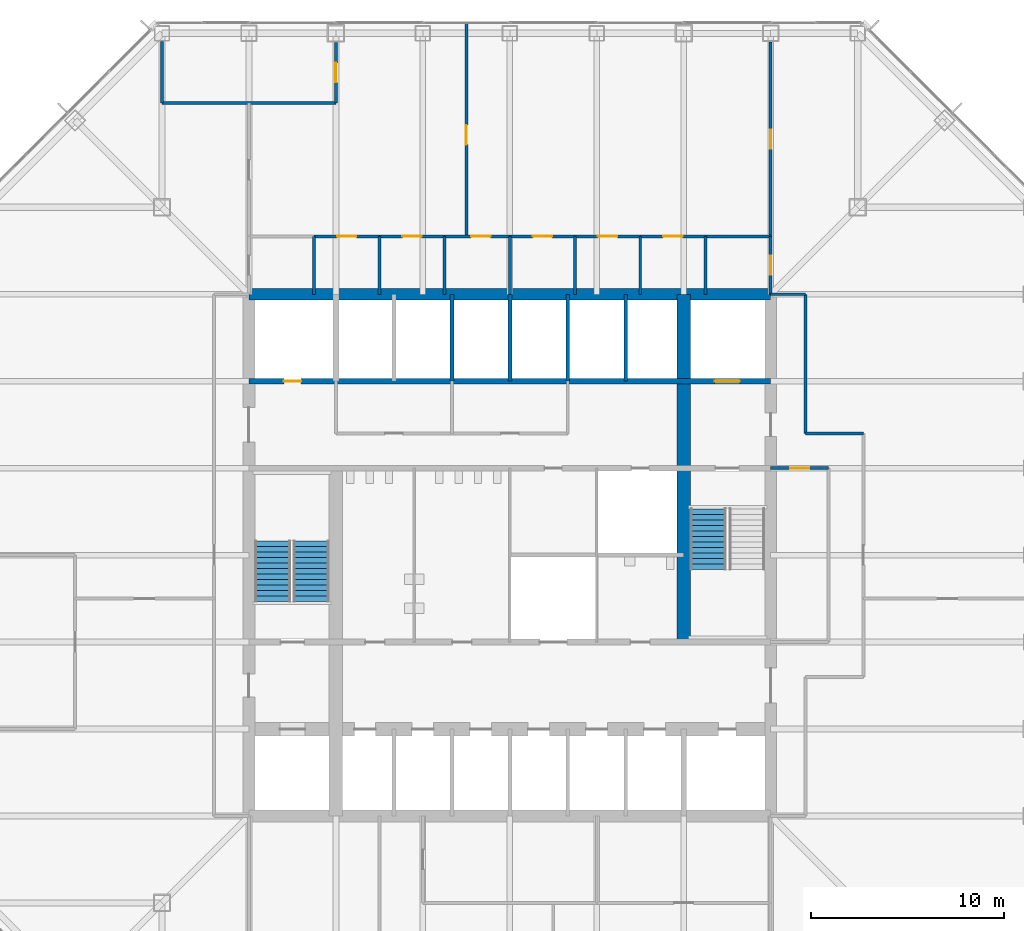
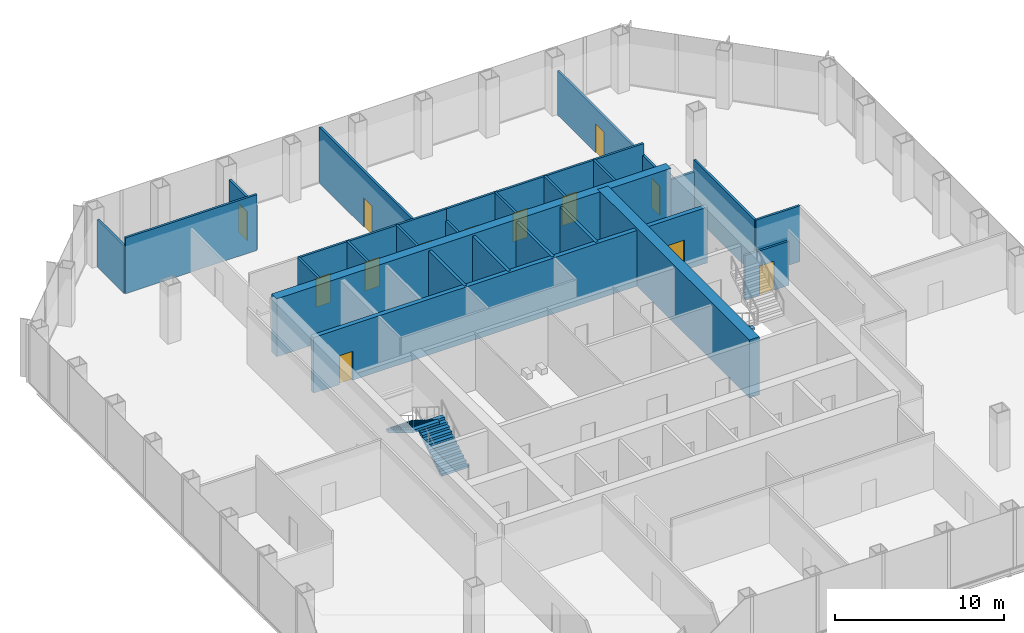
# One storey, part 10 of 13: 31 walls, 13 doors, 3 stair flights, 13 openings, 2 elements without a shape of their own.
"""IFC4 building model written with IfcOpenShell, lengths in metres."""

from ifc_helpers import new_model, si_unit, direction, frame, frame_2d, origin, place, context, subcontext, project, spatial, polyline, rectangle, outline, extrude, material, layer, layer_set, type_object, element, fill, aggregate, save


model = new_model("IFC4")

# Units and contexts
model_context = context("Model", 3, precision=1e-05, world=origin(), true_north=direction((0.0, 1.0)))
body_context = subcontext(model_context, "Body", "Model", "MODEL_VIEW")
ifc_project = project(units=[si_unit("LENGTHUNIT", "METRE"), si_unit("AREAUNIT", "SQUARE_METRE"), si_unit("VOLUMEUNIT", "CUBIC_METRE"), si_unit("PLANEANGLEUNIT", "RADIAN"), si_unit("MASSUNIT", "GRAM", prefix="KILO")], contexts=[model_context])

# Site, building, storey
site_placement = place(None, origin())
site = spatial("IfcSite", under=ifc_project, at=site_placement, CompositionType="ELEMENT")
building_placement = place(site_placement, origin())
building = spatial("IfcBuilding", under=site, at=building_placement, Name="Corais Broadcast Tower", CompositionType="ELEMENT")
storey_placement = place(building_placement, frame((0.0, 0.0, 62.60009765625)))
storey = spatial("IfcBuildingStorey", under=building, at=storey_placement, Name="L13", CompositionType="ELEMENT", Elevation=62.60009765625)

# Walls
ifc_material_1 = material(Name="Concrete C50/60", Category="concrete")
ifc_layer_1 = layer(ifc_material_1, 0.699951171875)
ifc_layer_set_1 = layer_set([ifc_layer_1], Name="Concrete C50/60")
wall_type_1 = type_object("IfcWallType", Name="Core spine wall 700", PredefinedType="SHEAR", material=ifc_layer_set_1)
wall_1_placement = place(storey_placement, frame((36.0, 22.5, 0.0), z_axis=(0.0, 0.0, 1.0), x_axis=(0.0, 1.0, 0.0)))
element("IfcWall", 1, at=wall_1_placement, inside=storey, type_object=wall_type_1, Name="CR700 core wall X36B L13", PredefinedType="SHEAR", context=body_context, shape_type="SweptSolid", body=[
    extrude(rectangle(XDim=18.0, YDim=0.699951171875, at=frame_2d((9.0, 0.0))), origin(), (0.0, 0.0, 1.0), 4.199951171875),
])
ifc_material_2 = material(Name="Concrete C50/60", Category="concrete")
ifc_layer_2 = layer(ifc_material_2, 0.60009765625)
ifc_layer_set_2 = layer_set([ifc_layer_2], Name="Concrete C50/60")
wall_type_2 = type_object("IfcWallType", Name="Core wall 600", PredefinedType="SHEAR", material=ifc_layer_set_2)
wall_2_placement = place(storey_placement, frame((40.5, 40.5, 0.0), z_axis=(0.0, 0.0, 1.0), x_axis=(-1.0, 0.0, 0.0)))
element("IfcWall", 2, at=wall_2_placement, inside=storey, type_object=wall_type_2, Name="CR600 core wall N L13", PredefinedType="SHEAR", context=body_context, shape_type="SweptSolid", body=[
    extrude(rectangle(XDim=27.0, YDim=0.60009765625, at=frame_2d((13.5, 0.0))), origin(), (0.0, 0.0, 1.0), 4.199951171875),
])

# Wall, openings, doors
ifc_material_3 = material(Name="Concrete blockwork class A, grouted, four-hour", Category="masonry")
ifc_layer_3 = layer(ifc_material_3, 0.300048828125)
ifc_layer_set_3 = layer_set([ifc_layer_3], Name="Concrete blockwork class A, grouted, four-hour")
wall_type_3 = type_object("IfcWallType", Name="Emergency lift shaft wall 300", PredefinedType="SOLIDWALL", material=ifc_layer_set_3)
wall_3_placement = place(storey_placement, frame((13.5, 36.0, 0.0), z_axis=(0.0, 0.0, 1.0), x_axis=(1.0, 0.0, 0.0)))
wall_3 = element("IfcWall", 3, at=wall_3_placement, inside=storey, type_object=wall_type_3, Name="LS1 core lobby wall Y36 L13", PredefinedType="SOLIDWALL", context=body_context, shape_type="SweptSolid", body=[
    extrude(rectangle(XDim=27.0, YDim=0.300048828125, at=frame_2d((13.5, 0.0))), origin(), (0.0, 0.0, 1.0), 4.039794921875),
])
opening_1_placement = place(wall_3_placement, frame((1.800048828125, 0.0, 0.0)))
opening_1 = element("IfcOpeningElement", 4, at=opening_1_placement, cuts=wall_3, Name="Opening RD1", PredefinedType="OPENING", context=body_context, shape_type="SweptSolid", body=[
    extrude(rectangle(XDim=0.89990234375, YDim=2.10009765625, at=frame_2d((0.449951171875, 1.050048828125))), frame((0.0, 0.159912109375, 0.0), z_axis=(0.0, -1.0, 0.0), x_axis=(1.0, 0.0, 0.0)), (0.0, 0.0, 1.0), 0.320068359375),
])
opening_2_placement = place(wall_3_placement, frame((24.10009765625, 0.0, 0.0)))
opening_2 = element("IfcOpeningElement", 5, at=opening_2_placement, cuts=wall_3, Name="Opening LD2", PredefinedType="OPENING", context=body_context, shape_type="SweptSolid", body=[
    extrude(rectangle(XDim=1.300048828125, YDim=2.199951171875, at=frame_2d((0.64990234375, 1.10009765625))), frame((0.0, 0.159912109375, 0.0), z_axis=(0.0, -1.0, 0.0), x_axis=(1.0, 0.0, 0.0)), (0.0, 0.0, 1.0), 0.320068359375),
])
ifc_material_4 = material(Name="Stainless steel lift door", Category="steel")
door_type_1 = type_object("IfcDoorType", Name="Lift landing door 1300x2200", OperationType="SLIDING_TO_LEFT", PredefinedType="DOOR", material=ifc_material_4)
door_1_placement = place(opening_2_placement, origin())
door_1 = element("IfcDoor", 6, at=door_1_placement, inside=storey, type_object=door_type_1, Name="LD2 FL2 landing door L13", OperationType="SLIDING_TO_LEFT", OverallHeight=2.199951171875, OverallWidth=1.300048828125, PredefinedType="DOOR", context=body_context, shape_type="SweptSolid", body=[
    extrude(rectangle(XDim=1.300048828125, YDim=2.199951171875, at=frame_2d((0.64990234375, 1.10009765625))), frame((0.0, 0.02490234375, 0.0), z_axis=(0.0, -1.0, 0.0), x_axis=(1.0, 0.0, 0.0)), (0.0, 0.0, 1.0), 0.050048828125),
])
fill(opening_2, door_1)
ifc_material_5 = material(Name="Steel fire door", Category="steel")
door_type_2 = type_object("IfcDoorType", Name="Riser door 900x2100", OperationType="SINGLE_SWING_LEFT", PredefinedType="DOOR", material=ifc_material_5)
door_2_placement = place(opening_1_placement, origin())
door_2 = element("IfcDoor", 7, at=door_2_placement, inside=storey, type_object=door_type_2, Name="RD1 riser door L13", OperationType="SINGLE_SWING_LEFT", OverallHeight=2.10009765625, OverallWidth=0.89990234375, PredefinedType="DOOR", context=body_context, shape_type="SweptSolid", body=[
    extrude(rectangle(XDim=0.89990234375, YDim=2.10009765625, at=frame_2d((0.449951171875, 1.050048828125))), frame((0.0, 0.02490234375, 0.0), z_axis=(0.0, -1.0, 0.0), x_axis=(1.0, 0.0, 0.0)), (0.0, 0.0, 1.0), 0.050048828125),
])
fill(opening_1, door_2)

# Walls
ifc_material_6 = material(Name="Gypsum board on steel studs", Category="steel")
ifc_layer_4 = layer(ifc_material_6, 0.14990234375)
ifc_layer_set_4 = layer_set([ifc_layer_4], Name="Gypsum board on steel studs")
wall_type_4 = type_object("IfcWallType", Name="Partition 150", PredefinedType="PARTITIONING", material=ifc_layer_set_4)
wall_4_placement = place(storey_placement, frame((42.300048828125, 33.300048828125, 0.0), z_axis=(0.0, 0.0, 1.0), x_axis=(0.0, 1.0, 0.0)))
element("IfcWall", 8, at=wall_4_placement, inside=storey, type_object=wall_type_4, Name="IW3 corridor wall L13", PredefinedType="PARTITIONING", context=body_context, shape_type="SweptSolid", body=[
    extrude(rectangle(XDim=7.199951171875, YDim=0.14990234375, at=frame_2d((3.60009765625, 0.0))), origin(), (0.0, 0.0, 1.0), 4.039794921875),
])
wall_5_placement = place(storey_placement, frame((45.300048828125, 33.300048828125, 0.0), z_axis=(0.0, 0.0, 1.0), x_axis=(-1.0, 0.0, 0.0)))
element("IfcWall", 9, at=wall_5_placement, inside=storey, type_object=wall_type_4, Name="IW3 corridor wall L13", PredefinedType="PARTITIONING", context=body_context, shape_type="SweptSolid", body=[
    extrude(rectangle(XDim=3.0, YDim=0.14990234375, at=frame_2d((1.5, 0.0))), origin(), (0.0, 0.0, 1.0), 4.039794921875),
])
wall_6_placement = place(storey_placement, frame((42.300048828125, 40.5, 0.0), z_axis=(0.0, 0.0, 1.0), x_axis=(-1.0, 0.0, 0.0)))
element("IfcWall", 10, at=wall_6_placement, inside=storey, type_object=wall_type_4, Name="IW3 corridor wall L13", PredefinedType="PARTITIONING", context=body_context, shape_type="SweptSolid", body=[
    extrude(rectangle(XDim=1.800048828125, YDim=0.14990234375, at=frame_2d((0.89990234375, 0.0))), origin(), (0.0, 0.0, 1.0), 3.18896484375),
])
for number, where, z_axis, x_axis, name in (
    (11, (16.875, 40.5, 0.0), (0.0, 0.0, 1.0), (0.0, 1.0, 0.0), "IW3 partition L13"),
    (12, (20.25, 40.5, 0.0), (0.0, 0.0, 1.0), (0.0, 1.0, 0.0), "IW3 partition L13"),
):
    element("IfcWall", number, at=place(storey_placement, frame(where, z_axis=z_axis, x_axis=x_axis)), inside=storey, type_object=wall_type_4, Name=name, PredefinedType="PARTITIONING", context=body_context, shape_type="SweptSolid", body=[
        extrude(rectangle(XDim=3.0, YDim=0.14990234375, at=frame_2d((1.5, 0.0))), origin(), (0.0, 0.0, 1.0), 4.039794921875),
    ])

# Wall, opening, door
wall_7_placement = place(storey_placement, frame((20.25, 43.5, 0.0), z_axis=(0.0, 0.0, 1.0), x_axis=(-1.0, 0.0, 0.0)))
wall_7 = element("IfcWall", 13, at=wall_7_placement, inside=storey, type_object=wall_type_4, Name="IW3 partition L13", PredefinedType="PARTITIONING", context=body_context, shape_type="SweptSolid", body=[
    extrude(rectangle(XDim=3.375, YDim=0.14990234375, at=frame_2d((1.6875, 0.0))), origin(), (0.0, 0.0, 1.0), 4.039794921875),
])
opening_3_placement = place(wall_7_placement, frame((1.1875, 0.0, 0.0)))
opening_3 = element("IfcOpeningElement", 14, at=opening_3_placement, cuts=wall_7, Name="Opening D1", PredefinedType="OPENING", context=body_context, shape_type="SweptSolid", body=[
    extrude(rectangle(XDim=1.0, YDim=2.10009765625, at=frame_2d((0.5, 1.050048828125))), frame((0.0, 0.0849609375, 0.0), z_axis=(0.0, -1.0, 0.0), x_axis=(1.0, 0.0, 0.0)), (0.0, 0.0, 1.0), 0.169921875),
])
ifc_material_7 = material(Name="Timber door", Category="wood")
door_type_3 = type_object("IfcDoorType", Name="Single door 1000x2100", OperationType="SINGLE_SWING_LEFT", PredefinedType="DOOR", material=ifc_material_7)
door_3_placement = place(opening_3_placement, origin())
door_3 = element("IfcDoor", 15, at=door_3_placement, inside=storey, type_object=door_type_3, Name="D1 Podcast booth door", OperationType="SINGLE_SWING_LEFT", OverallHeight=2.10009765625, OverallWidth=1.0, PredefinedType="DOOR", context=body_context, shape_type="SweptSolid", body=[
    extrude(rectangle(XDim=1.0, YDim=2.10009765625, at=frame_2d((0.5, 1.050048828125))), frame((0.0, 0.02490234375, 0.0), z_axis=(0.0, -1.0, 0.0), x_axis=(1.0, 0.0, 0.0)), (0.0, 0.0, 1.0), 0.050048828125),
])
fill(opening_3, door_3)

# Wall
wall_8_placement = place(storey_placement, frame((23.625, 40.5, 0.0), z_axis=(0.0, 0.0, 1.0), x_axis=(0.0, 1.0, 0.0)))
element("IfcWall", 16, at=wall_8_placement, inside=storey, type_object=wall_type_4, Name="IW3 partition L13", PredefinedType="PARTITIONING", context=body_context, shape_type="SweptSolid", body=[
    extrude(rectangle(XDim=3.0, YDim=0.14990234375, at=frame_2d((1.5, 0.0))), origin(), (0.0, 0.0, 1.0), 4.039794921875),
])

# Wall, opening, door
wall_9_placement = place(storey_placement, frame((23.625, 43.5, 0.0), z_axis=(0.0, 0.0, 1.0), x_axis=(-1.0, 0.0, 0.0)))
wall_9 = element("IfcWall", 17, at=wall_9_placement, inside=storey, type_object=wall_type_4, Name="IW3 partition L13", PredefinedType="PARTITIONING", context=body_context, shape_type="SweptSolid", body=[
    extrude(rectangle(XDim=3.375, YDim=0.14990234375, at=frame_2d((1.6875, 0.0))), origin(), (0.0, 0.0, 1.0), 4.039794921875),
])
opening_4_placement = place(wall_9_placement, frame((1.1875, 0.0, 0.0)))
opening_4 = element("IfcOpeningElement", 18, at=opening_4_placement, cuts=wall_9, Name="Opening D1", PredefinedType="OPENING", context=body_context, shape_type="SweptSolid", body=[
    extrude(rectangle(XDim=1.0, YDim=2.10009765625, at=frame_2d((0.5, 1.050048828125))), frame((0.0, 0.0849609375, 0.0), z_axis=(0.0, -1.0, 0.0), x_axis=(1.0, 0.0, 0.0)), (0.0, 0.0, 1.0), 0.169921875),
])
door_4_placement = place(opening_4_placement, origin())
door_4 = element("IfcDoor", 19, at=door_4_placement, inside=storey, type_object=door_type_3, Name="D1 Podcast booth door", OperationType="SINGLE_SWING_LEFT", OverallHeight=2.10009765625, OverallWidth=1.0, PredefinedType="DOOR", context=body_context, shape_type="SweptSolid", body=[
    extrude(rectangle(XDim=1.0, YDim=2.10009765625, at=frame_2d((0.5, 1.050048828125))), frame((0.0, 0.02490234375, 0.0), z_axis=(0.0, -1.0, 0.0), x_axis=(1.0, 0.0, 0.0)), (0.0, 0.0, 1.0), 0.050048828125),
])
fill(opening_4, door_4)

# Wall
wall_10_placement = place(storey_placement, frame((27.0, 40.5, 0.0), z_axis=(0.0, 0.0, 1.0), x_axis=(0.0, 1.0, 0.0)))
element("IfcWall", 20, at=wall_10_placement, inside=storey, type_object=wall_type_4, Name="IW3 partition L13", PredefinedType="PARTITIONING", context=body_context, shape_type="SweptSolid", body=[
    extrude(rectangle(XDim=3.0, YDim=0.14990234375, at=frame_2d((1.5, 0.0))), origin(), (0.0, 0.0, 1.0), 3.18896484375),
])

# Wall, opening, door
wall_11_placement = place(storey_placement, frame((27.0, 43.5, 0.0), z_axis=(0.0, 0.0, 1.0), x_axis=(-1.0, 0.0, 0.0)))
wall_11 = element("IfcWall", 21, at=wall_11_placement, inside=storey, type_object=wall_type_4, Name="IW3 partition L13", PredefinedType="PARTITIONING", context=body_context, shape_type="SweptSolid", body=[
    extrude(rectangle(XDim=3.375, YDim=0.14990234375, at=frame_2d((1.6875, 0.0))), origin(), (0.0, 0.0, 1.0), 4.039794921875),
])
opening_5_placement = place(wall_11_placement, frame((1.0, 0.0, 0.0)))
opening_5 = element("IfcOpeningElement", 22, at=opening_5_placement, cuts=wall_11, Name="Opening D1", PredefinedType="OPENING", context=body_context, shape_type="SweptSolid", body=[
    extrude(rectangle(XDim=1.0, YDim=2.10009765625, at=frame_2d((0.5, 1.050048828125))), frame((0.0, 0.0849609375, 0.0), z_axis=(0.0, -1.0, 0.0), x_axis=(1.0, 0.0, 0.0)), (0.0, 0.0, 1.0), 0.169921875),
])
door_5_placement = place(opening_5_placement, origin())
door_5 = element("IfcDoor", 23, at=door_5_placement, inside=storey, type_object=door_type_3, Name="D1 Podcast booth door", OperationType="SINGLE_SWING_LEFT", OverallHeight=2.10009765625, OverallWidth=1.0, PredefinedType="DOOR", context=body_context, shape_type="SweptSolid", body=[
    extrude(rectangle(XDim=1.0, YDim=2.10009765625, at=frame_2d((0.5, 1.050048828125))), frame((0.0, 0.02490234375, 0.0), z_axis=(0.0, -1.0, 0.0), x_axis=(1.0, 0.0, 0.0)), (0.0, 0.0, 1.0), 0.050048828125),
])
fill(opening_5, door_5)

# Wall
wall_12_placement = place(storey_placement, frame((30.375, 40.5, 0.0), z_axis=(0.0, 0.0, 1.0), x_axis=(0.0, 1.0, 0.0)))
element("IfcWall", 24, at=wall_12_placement, inside=storey, type_object=wall_type_4, Name="IW3 partition L13", PredefinedType="PARTITIONING", context=body_context, shape_type="SweptSolid", body=[
    extrude(rectangle(XDim=3.0, YDim=0.14990234375, at=frame_2d((1.5, 0.0))), origin(), (0.0, 0.0, 1.0), 4.039794921875),
])

# Wall, opening, door
wall_13_placement = place(storey_placement, frame((30.375, 43.5, 0.0), z_axis=(0.0, 0.0, 1.0), x_axis=(-1.0, 0.0, 0.0)))
wall_13 = element("IfcWall", 25, at=wall_13_placement, inside=storey, type_object=wall_type_4, Name="IW3 partition L13", PredefinedType="PARTITIONING", context=body_context, shape_type="SweptSolid", body=[
    extrude(rectangle(XDim=3.375, YDim=0.14990234375, at=frame_2d((1.6875, 0.0))), origin(), (0.0, 0.0, 1.0), 4.039794921875),
])
opening_6_placement = place(wall_13_placement, frame((1.1875, 0.0, 0.0)))
opening_6 = element("IfcOpeningElement", 26, at=opening_6_placement, cuts=wall_13, Name="Opening D1", PredefinedType="OPENING", context=body_context, shape_type="SweptSolid", body=[
    extrude(rectangle(XDim=1.0, YDim=2.10009765625, at=frame_2d((0.5, 1.050048828125))), frame((0.0, 0.0849609375, 0.0), z_axis=(0.0, -1.0, 0.0), x_axis=(1.0, 0.0, 0.0)), (0.0, 0.0, 1.0), 0.169921875),
])
door_6_placement = place(opening_6_placement, origin())
door_6 = element("IfcDoor", 27, at=door_6_placement, inside=storey, type_object=door_type_3, Name="D1 Podcast booth door", OperationType="SINGLE_SWING_LEFT", OverallHeight=2.10009765625, OverallWidth=1.0, PredefinedType="DOOR", context=body_context, shape_type="SweptSolid", body=[
    extrude(rectangle(XDim=1.0, YDim=2.10009765625, at=frame_2d((0.5, 1.050048828125))), frame((0.0, 0.02490234375, 0.0), z_axis=(0.0, -1.0, 0.0), x_axis=(1.0, 0.0, 0.0)), (0.0, 0.0, 1.0), 0.050048828125),
])
fill(opening_6, door_6)

# Wall
wall_14_placement = place(storey_placement, frame((33.75, 40.5, 0.0), z_axis=(0.0, 0.0, 1.0), x_axis=(0.0, 1.0, 0.0)))
element("IfcWall", 28, at=wall_14_placement, inside=storey, type_object=wall_type_4, Name="IW3 partition L13", PredefinedType="PARTITIONING", context=body_context, shape_type="SweptSolid", body=[
    extrude(rectangle(XDim=3.0, YDim=0.14990234375, at=frame_2d((1.5, 0.0))), origin(), (0.0, 0.0, 1.0), 4.039794921875),
])

# Wall, opening, door
wall_15_placement = place(storey_placement, frame((33.75, 43.5, 0.0), z_axis=(0.0, 0.0, 1.0), x_axis=(-1.0, 0.0, 0.0)))
wall_15 = element("IfcWall", 29, at=wall_15_placement, inside=storey, type_object=wall_type_4, Name="IW3 partition L13", PredefinedType="PARTITIONING", context=body_context, shape_type="SweptSolid", body=[
    extrude(rectangle(XDim=3.375, YDim=0.14990234375, at=frame_2d((1.6875, 0.0))), origin(), (0.0, 0.0, 1.0), 4.039794921875),
])
opening_7_placement = place(wall_15_placement, frame((1.1875, 0.0, 0.0)))
opening_7 = element("IfcOpeningElement", 30, at=opening_7_placement, cuts=wall_15, Name="Opening D1", PredefinedType="OPENING", context=body_context, shape_type="SweptSolid", body=[
    extrude(rectangle(XDim=1.0, YDim=2.10009765625, at=frame_2d((0.5, 1.050048828125))), frame((0.0, 0.0849609375, 0.0), z_axis=(0.0, -1.0, 0.0), x_axis=(1.0, 0.0, 0.0)), (0.0, 0.0, 1.0), 0.169921875),
])
door_7_placement = place(opening_7_placement, origin())
door_7 = element("IfcDoor", 31, at=door_7_placement, inside=storey, type_object=door_type_3, Name="D1 Podcast booth door", OperationType="SINGLE_SWING_LEFT", OverallHeight=2.10009765625, OverallWidth=1.0, PredefinedType="DOOR", context=body_context, shape_type="SweptSolid", body=[
    extrude(rectangle(XDim=1.0, YDim=2.10009765625, at=frame_2d((0.5, 1.050048828125))), frame((0.0, 0.02490234375, 0.0), z_axis=(0.0, -1.0, 0.0), x_axis=(1.0, 0.0, 0.0)), (0.0, 0.0, 1.0), 0.050048828125),
])
fill(opening_7, door_7)

# Wall
wall_16_placement = place(storey_placement, frame((37.125, 40.5, 0.0), z_axis=(0.0, 0.0, 1.0), x_axis=(0.0, 1.0, 0.0)))
element("IfcWall", 32, at=wall_16_placement, inside=storey, type_object=wall_type_4, Name="IW3 partition L13", PredefinedType="PARTITIONING", context=body_context, shape_type="SweptSolid", body=[
    extrude(rectangle(XDim=3.0, YDim=0.14990234375, at=frame_2d((1.5, 0.0))), origin(), (0.0, 0.0, 1.0), 4.039794921875),
])

# Wall, opening, door
wall_17_placement = place(storey_placement, frame((37.125, 43.5, 0.0), z_axis=(0.0, 0.0, 1.0), x_axis=(-1.0, 0.0, 0.0)))
wall_17 = element("IfcWall", 33, at=wall_17_placement, inside=storey, type_object=wall_type_4, Name="IW3 partition L13", PredefinedType="PARTITIONING", context=body_context, shape_type="SweptSolid", body=[
    extrude(rectangle(XDim=3.375, YDim=0.14990234375, at=frame_2d((1.6875, 0.0))), origin(), (0.0, 0.0, 1.0), 4.039794921875),
])
opening_8_placement = place(wall_17_placement, frame((1.1875, 0.0, 0.0)))
opening_8 = element("IfcOpeningElement", 34, at=opening_8_placement, cuts=wall_17, Name="Opening D1", PredefinedType="OPENING", context=body_context, shape_type="SweptSolid", body=[
    extrude(rectangle(XDim=1.0, YDim=2.10009765625, at=frame_2d((0.5, 1.050048828125))), frame((0.0, 0.0849609375, 0.0), z_axis=(0.0, -1.0, 0.0), x_axis=(1.0, 0.0, 0.0)), (0.0, 0.0, 1.0), 0.169921875),
])
door_8_placement = place(opening_8_placement, origin())
door_8 = element("IfcDoor", 35, at=door_8_placement, inside=storey, type_object=door_type_3, Name="D1 Podcast booth door", OperationType="SINGLE_SWING_LEFT", OverallHeight=2.10009765625, OverallWidth=1.0, PredefinedType="DOOR", context=body_context, shape_type="SweptSolid", body=[
    extrude(rectangle(XDim=1.0, YDim=2.10009765625, at=frame_2d((0.5, 1.050048828125))), frame((0.0, 0.02490234375, 0.0), z_axis=(0.0, -1.0, 0.0), x_axis=(1.0, 0.0, 0.0)), (0.0, 0.0, 1.0), 0.050048828125),
])
fill(opening_8, door_8)

wall_18_placement = place(storey_placement, frame((40.5, 40.5, 0.0), z_axis=(0.0, 0.0, 1.0), x_axis=(0.0, 1.0, 0.0)))
wall_18 = element("IfcWall", 36, at=wall_18_placement, inside=storey, type_object=wall_type_4, Name="IW3 partition L13", PredefinedType="PARTITIONING", context=body_context, shape_type="SweptSolid", body=[
    extrude(rectangle(XDim=3.0, YDim=0.14990234375, at=frame_2d((1.5, 0.0))), origin(), (0.0, 0.0, 1.0), 3.18896484375),
])
opening_9_placement = place(wall_18_placement, frame((1.0, 0.0, 0.0)))
opening_9 = element("IfcOpeningElement", 37, at=opening_9_placement, cuts=wall_18, Name="Opening D1", PredefinedType="OPENING", context=body_context, shape_type="SweptSolid", body=[
    extrude(rectangle(XDim=1.0, YDim=2.10009765625, at=frame_2d((0.5, 1.050048828125))), frame((0.0, 0.0849609375, 0.0), z_axis=(0.0, -1.0, 0.0), x_axis=(1.0, 0.0, 0.0)), (0.0, 0.0, 1.0), 0.169921875),
])
door_9_placement = place(opening_9_placement, origin())
door_9 = element("IfcDoor", 38, at=door_9_placement, inside=storey, type_object=door_type_3, Name="D1 Podcast booth door", OperationType="SINGLE_SWING_LEFT", OverallHeight=2.10009765625, OverallWidth=1.0, PredefinedType="DOOR", context=body_context, shape_type="SweptSolid", body=[
    extrude(rectangle(XDim=1.0, YDim=2.10009765625, at=frame_2d((0.5, 1.050048828125))), frame((0.0, 0.02490234375, 0.0), z_axis=(0.0, -1.0, 0.0), x_axis=(1.0, 0.0, 0.0)), (0.0, 0.0, 1.0), 0.050048828125),
])
fill(opening_9, door_9)

# Walls
wall_19_placement = place(storey_placement, frame((40.5, 43.5, 0.0), z_axis=(0.0, 0.0, 1.0), x_axis=(-1.0, 0.0, 0.0)))
element("IfcWall", 39, at=wall_19_placement, inside=storey, type_object=wall_type_4, Name="IW3 partition L13", PredefinedType="PARTITIONING", context=body_context, shape_type="SweptSolid", body=[
    extrude(rectangle(XDim=3.375, YDim=0.14990234375, at=frame_2d((1.6875, 0.0))), origin(), (0.0, 0.0, 1.0), 4.039794921875),
])
wall_20_placement = place(storey_placement, frame((9.0, 50.39990234375, 0.0), z_axis=(0.0, 0.0, 1.0), x_axis=(1.0, 0.0, 0.0)))
element("IfcWall", 40, at=wall_20_placement, inside=storey, type_object=wall_type_4, Name="IW3 partition L13", PredefinedType="PARTITIONING", context=body_context, shape_type="SweptSolid", body=[
    extrude(rectangle(XDim=9.0, YDim=0.14990234375, at=frame_2d((4.5, 0.0))), origin(), (0.0, 0.0, 1.0), 4.039794921875),
])

# Wall, opening, door
wall_21_placement = place(storey_placement, frame((18.0, 50.39990234375, 0.0), z_axis=(0.0, 0.0, 1.0), x_axis=(0.0, 1.0, 0.0)))
wall_21 = element("IfcWall", 41, at=wall_21_placement, inside=storey, type_object=wall_type_4, Name="IW3 partition L13", PredefinedType="PARTITIONING", context=body_context, shape_type="SweptSolid", body=[
    extrude(rectangle(XDim=3.14013671875, YDim=0.14990234375, at=frame_2d((1.570068359375, 0.0))), origin(), (0.0, 0.0, 1.0), 3.18896484375),
])
opening_10_placement = place(wall_21_placement, frame((1.070068359375, 0.0, 0.0)))
opening_10 = element("IfcOpeningElement", 42, at=opening_10_placement, cuts=wall_21, Name="Opening D1", PredefinedType="OPENING", context=body_context, shape_type="SweptSolid", body=[
    extrude(rectangle(XDim=1.0, YDim=2.10009765625, at=frame_2d((0.5, 1.050048828125))), frame((0.0, 0.0849609375, 0.0), z_axis=(0.0, -1.0, 0.0), x_axis=(1.0, 0.0, 0.0)), (0.0, 0.0, 1.0), 0.169921875),
])
door_10_placement = place(opening_10_placement, origin())
door_10 = element("IfcDoor", 43, at=door_10_placement, inside=storey, type_object=door_type_3, Name="D1 Pantry door", OperationType="SINGLE_SWING_LEFT", OverallHeight=2.10009765625, OverallWidth=1.0, PredefinedType="DOOR", context=body_context, shape_type="SweptSolid", body=[
    extrude(rectangle(XDim=1.0, YDim=2.10009765625, at=frame_2d((0.5, 1.050048828125))), frame((0.0, 0.02490234375, 0.0), z_axis=(0.0, -1.0, 0.0), x_axis=(1.0, 0.0, 0.0)), (0.0, 0.0, 1.0), 0.050048828125),
])
fill(opening_10, door_10)

# Wall
wall_22_placement = place(storey_placement, frame((9.0, 53.590087890625, 0.0), z_axis=(0.0, 0.0, 1.0), x_axis=(0.0, -1.0, 0.0)))
element("IfcWall", 44, at=wall_22_placement, inside=storey, type_object=wall_type_4, Name="IW3 partition L13", PredefinedType="PARTITIONING", context=body_context, shape_type="SweptSolid", body=[
    extrude(rectangle(XDim=3.190185546875, YDim=0.14990234375, at=frame_2d((1.59521484375, 0.0))), origin(), (0.0, 0.0, 1.0), 3.428955078125),
])

# Wall, opening, door
wall_23_placement = place(storey_placement, frame((43.5, 31.5, 0.0), z_axis=(0.0, 0.0, 1.0), x_axis=(-1.0, 0.0, 0.0)))
wall_23 = element("IfcWall", 45, at=wall_23_placement, inside=storey, type_object=wall_type_4, Name="IW3 partition L13", PredefinedType="PARTITIONING", context=body_context, shape_type="SweptSolid", body=[
    extrude(rectangle(XDim=3.0, YDim=0.14990234375, at=frame_2d((1.5, 0.0))), origin(), (0.0, 0.0, 1.0), 3.18896484375),
])
opening_11_placement = place(wall_23_placement, frame((1.0, 0.0, 0.0)))
opening_11 = element("IfcOpeningElement", 46, at=opening_11_placement, cuts=wall_23, Name="Opening D1", PredefinedType="OPENING", context=body_context, shape_type="SweptSolid", body=[
    extrude(rectangle(XDim=1.0, YDim=2.10009765625, at=frame_2d((0.5, 1.050048828125))), frame((0.0, 0.0849609375, 0.0), z_axis=(0.0, -1.0, 0.0), x_axis=(1.0, 0.0, 0.0)), (0.0, 0.0, 1.0), 0.169921875),
])
door_11_placement = place(opening_11_placement, origin())
door_11 = element("IfcDoor", 47, at=door_11_placement, inside=storey, type_object=door_type_3, Name="D1 Quiet room door", OperationType="SINGLE_SWING_LEFT", OverallHeight=2.10009765625, OverallWidth=1.0, PredefinedType="DOOR", context=body_context, shape_type="SweptSolid", body=[
    extrude(rectangle(XDim=1.0, YDim=2.10009765625, at=frame_2d((0.5, 1.050048828125))), frame((0.0, 0.02490234375, 0.0), z_axis=(0.0, -1.0, 0.0), x_axis=(1.0, 0.0, 0.0)), (0.0, 0.0, 1.0), 0.050048828125),
])
fill(opening_11, door_11)

wall_24_placement = place(storey_placement, frame((40.5, 53.554931640625, 0.0), z_axis=(0.0, 0.0, 1.0), x_axis=(0.0, -1.0, 0.0)))
wall_24 = element("IfcWall", 48, at=wall_24_placement, inside=storey, type_object=wall_type_4, Name="IW3 partition L13", PredefinedType="PARTITIONING", context=body_context, shape_type="SweptSolid", body=[
    extrude(rectangle(XDim=10.054931640625, YDim=0.14990234375, at=frame_2d((5.02734375, 0.0))), origin(), (0.0, 0.0, 1.0), 3.18896484375),
])
opening_12_placement = place(wall_24_placement, frame((4.527587890625, 0.0, 0.0)))
opening_12 = element("IfcOpeningElement", 49, at=opening_12_placement, cuts=wall_24, Name="Opening D1", PredefinedType="OPENING", context=body_context, shape_type="SweptSolid", body=[
    extrude(rectangle(XDim=1.0, YDim=2.10009765625, at=frame_2d((0.5, 1.050048828125))), frame((0.0, 0.0849609375, 0.0), z_axis=(0.0, -1.0, 0.0), x_axis=(1.0, 0.0, 0.0)), (0.0, 0.0, 1.0), 0.169921875),
])
door_12_placement = place(opening_12_placement, origin())
door_12 = element("IfcDoor", 50, at=door_12_placement, inside=storey, type_object=door_type_3, Name="D1 team room door L13", OperationType="SINGLE_SWING_LEFT", OverallHeight=2.10009765625, OverallWidth=1.0, PredefinedType="DOOR", context=body_context, shape_type="SweptSolid", body=[
    extrude(rectangle(XDim=1.0, YDim=2.10009765625, at=frame_2d((0.5, 1.050048828125))), frame((0.0, 0.02490234375, 0.0), z_axis=(0.0, -1.0, 0.0), x_axis=(1.0, 0.0, 0.0)), (0.0, 0.0, 1.0), 0.050048828125),
])
fill(opening_12, door_12)

wall_25_placement = place(storey_placement, frame((24.75, 43.5, 0.0), z_axis=(0.0, 0.0, 1.0), x_axis=(0.0, 1.0, 0.0)))
wall_25 = element("IfcWall", 51, at=wall_25_placement, inside=storey, type_object=wall_type_4, Name="IW3 partition L13", PredefinedType="PARTITIONING", context=body_context, shape_type="SweptSolid", body=[
    extrude(rectangle(XDim=11.02001953125, YDim=0.14990234375, at=frame_2d((5.510009765625, 0.0))), origin(), (0.0, 0.0, 1.0), 4.039794921875),
])
opening_13_placement = place(wall_25_placement, frame((4.75, 0.0, 0.0)))
opening_13 = element("IfcOpeningElement", 52, at=opening_13_placement, cuts=wall_25, Name="Opening D1", PredefinedType="OPENING", context=body_context, shape_type="SweptSolid", body=[
    extrude(rectangle(XDim=1.0, YDim=2.10009765625, at=frame_2d((0.5, 1.050048828125))), frame((0.0, 0.0849609375, 0.0), z_axis=(0.0, -1.0, 0.0), x_axis=(1.0, 0.0, 0.0)), (0.0, 0.0, 1.0), 0.169921875),
])
door_13_placement = place(opening_13_placement, origin())
door_13 = element("IfcDoor", 53, at=door_13_placement, inside=storey, type_object=door_type_3, Name="D1 team room door L13", OperationType="SINGLE_SWING_LEFT", OverallHeight=2.10009765625, OverallWidth=1.0, PredefinedType="DOOR", context=body_context, shape_type="SweptSolid", body=[
    extrude(rectangle(XDim=1.0, YDim=2.10009765625, at=frame_2d((0.5, 1.050048828125))), frame((0.0, 0.02490234375, 0.0), z_axis=(0.0, -1.0, 0.0), x_axis=(1.0, 0.0, 0.0)), (0.0, 0.0, 1.0), 0.050048828125),
])
fill(opening_13, door_13)

# Walls
ifc_material_8 = material(Name="Concrete blockwork class A, grouted, two-hour", Category="masonry")
ifc_layer_5 = layer(ifc_material_8, 0.199951171875)
ifc_layer_set_5 = layer_set([ifc_layer_5], Name="Concrete blockwork class A, grouted, two-hour")
wall_type_5 = type_object("IfcWallType", Name="Shaft wall 200", PredefinedType="PARTITIONING", material=ifc_layer_set_5)
for number, where, z_axis, x_axis, name in (
    (54, (24.0, 36.0, 0.0), (0.0, 0.0, 1.0), (0.0, 1.0, 0.0), "IW1 shaft wall L13"),
    (55, (27.0, 36.0, 0.0), (0.0, 0.0, 1.0), (0.0, 1.0, 0.0), "IW1 shaft wall L13"),
    (56, (30.0, 36.0, 0.0), (0.0, 0.0, 1.0), (0.0, 1.0, 0.0), "IW1 shaft wall L13"),
    (57, (33.0, 36.0, 0.0), (0.0, 0.0, 1.0), (0.0, 1.0, 0.0), "IW1 shaft wall L13"),
):
    element("IfcWall", number, at=place(storey_placement, frame(where, z_axis=z_axis, x_axis=x_axis)), inside=storey, type_object=wall_type_5, Name=name, PredefinedType="PARTITIONING", context=body_context, shape_type="SweptSolid", body=[
        extrude(rectangle(XDim=4.5, YDim=0.199951171875, at=frame_2d((2.25, 0.0))), origin(), (0.0, 0.0, 1.0), 4.039794921875),
    ])

# Stair, stair flights
ifc_material_9 = material(Name="Concrete C30/37", Category="concrete")
stair_type = type_object("IfcStairType", Name="Half-turn stair 4200", PredefinedType="HALF_TURN_STAIR", material=ifc_material_9)
stair_1_placement = place(storey_placement, origin())
stair_1 = element("IfcStair", 58, at=stair_1_placement, inside=storey, type_object=stair_type, Name="Stair A L13", PredefinedType="HALF_TURN_STAIR")
ifc_material_10 = material(Name="Concrete C30/37", Category="concrete")
stair_flight_type = type_object("IfcStairFlightType", Name="Stair flight 4200", PredefinedType="STRAIGHT", material=ifc_material_10)
stair_flight_1_placement = place(storey_placement, frame((16.72509765625, 24.60009765625, 0.0), z_axis=(0.0, 0.0, 1.0), x_axis=(0.0, 1.0, 0.0)))
stair_flight_1 = element("IfcStairFlight", 59, at=stair_flight_1_placement, type_object=stair_flight_type, Name="STA flight 1", NumberOfRisers=12, NumberOfTreads=11, PredefinedType="STRAIGHT", RiserHeight=0.175, TreadLength=0.285, context=body_context, shape_type="SweptSolid", body=[
    extrude(outline(polyline([(0.0, 0.0), (0.0, 0.175048828125), (0.284912109375, 0.175048828125), (0.284912109375, 0.35009765625), (0.570068359375, 0.35009765625), (0.570068359375, 0.52490234375), (0.85498046875, 0.52490234375), (0.85498046875, 0.699951171875), (1.139892578125, 0.699951171875), (1.139892578125, 0.875), (1.425048828125, 0.875), (1.425048828125, 1.050048828125), (1.7099609375, 1.050048828125), (1.7099609375, 1.22509765625), (1.9951171875, 1.22509765625), (1.9951171875, 1.39990234375), (2.280029296875, 1.39990234375), (2.280029296875, 1.574951171875), (2.56494140625, 1.574951171875), (2.56494140625, 1.75), (2.85009765625, 1.75), (2.85009765625, 1.925048828125), (3.135009765625, 1.925048828125), (3.135009765625, 2.10009765625), (3.135009765625, 1.7490234375), (0.286376953125, 0.0), (0.0, 0.0)])), frame((0.0, 0.925048828125, 0.0), z_axis=(0.0, -1.0, 0.0), x_axis=(1.0, 0.0, 0.0)), (0.0, 0.0, 1.0), 1.85009765625),
])
stair_flight_2_placement = place(storey_placement, frame((14.72509765625, 27.735107421875, 2.099853515625), z_axis=(0.0, 0.0, 1.0), x_axis=(0.0, -1.0, 0.0)))
stair_flight_2 = element("IfcStairFlight", 60, at=stair_flight_2_placement, type_object=stair_flight_type, Name="STA flight 2", NumberOfRisers=12, NumberOfTreads=11, PredefinedType="STRAIGHT", RiserHeight=0.175, TreadLength=0.285, context=body_context, shape_type="SweptSolid", body=[
    extrude(outline(polyline([(0.0, 0.0), (0.0, 0.175048828125), (0.284912109375, 0.175048828125), (0.284912109375, 0.35009765625), (0.570068359375, 0.35009765625), (0.570068359375, 0.52490234375), (0.85498046875, 0.52490234375), (0.85498046875, 0.699951171875), (1.139892578125, 0.699951171875), (1.139892578125, 0.875), (1.425048828125, 0.875), (1.425048828125, 1.050048828125), (1.7099609375, 1.050048828125), (1.7099609375, 1.22509765625), (1.9951171875, 1.22509765625), (1.9951171875, 1.39990234375), (2.280029296875, 1.39990234375), (2.280029296875, 1.574951171875), (2.56494140625, 1.574951171875), (2.56494140625, 1.75), (2.85009765625, 1.75), (2.85009765625, 1.925048828125), (3.135009765625, 1.925048828125), (3.135009765625, 2.10009765625), (3.135009765625, 1.7490234375), (0.286376953125, 0.0), (0.0, 0.0)])), frame((0.0, 0.925048828125, 0.0), z_axis=(0.0, -1.0, 0.0), x_axis=(1.0, 0.0, 0.0)), (0.0, 0.0, 1.0), 1.85009765625),
])
aggregate(stair_1, [stair_flight_1, stair_flight_2])

# Stair, stair flight
stair_2_placement = place(storey_placement, origin())
stair_2 = element("IfcStair", 61, at=stair_2_placement, inside=storey, type_object=stair_type, Name="Stair B L13", PredefinedType="HALF_TURN_STAIR")
stair_flight_3_placement = place(storey_placement, frame((37.27490234375, 29.39990234375, 0.0), z_axis=(0.0, 0.0, 1.0), x_axis=(0.0, -1.0, 0.0)))
stair_flight_3 = element("IfcStairFlight", 62, at=stair_flight_3_placement, type_object=stair_flight_type, Name="STB flight 1", NumberOfRisers=12, NumberOfTreads=11, PredefinedType="STRAIGHT", RiserHeight=0.175, TreadLength=0.285, context=body_context, shape_type="SweptSolid", body=[
    extrude(outline(polyline([(0.0, 0.0), (0.0, 0.175048828125), (0.284912109375, 0.175048828125), (0.284912109375, 0.35009765625), (0.570068359375, 0.35009765625), (0.570068359375, 0.52490234375), (0.85498046875, 0.52490234375), (0.85498046875, 0.699951171875), (1.139892578125, 0.699951171875), (1.139892578125, 0.875), (1.425048828125, 0.875), (1.425048828125, 1.050048828125), (1.7099609375, 1.050048828125), (1.7099609375, 1.22509765625), (1.9951171875, 1.22509765625), (1.9951171875, 1.39990234375), (2.280029296875, 1.39990234375), (2.280029296875, 1.574951171875), (2.56494140625, 1.574951171875), (2.56494140625, 1.75), (2.85009765625, 1.75), (2.85009765625, 1.925048828125), (3.135009765625, 1.925048828125), (3.135009765625, 2.10009765625), (3.135009765625, 1.7490234375), (0.286376953125, 0.0), (0.0, 0.0)])), frame((0.0, 0.925048828125, 0.0), z_axis=(0.0, -1.0, 0.0), x_axis=(1.0, 0.0, 0.0)), (0.0, 0.0, 1.0), 1.85009765625),
])
aggregate(stair_2, [stair_flight_3])

save(model, "model.ifc")
